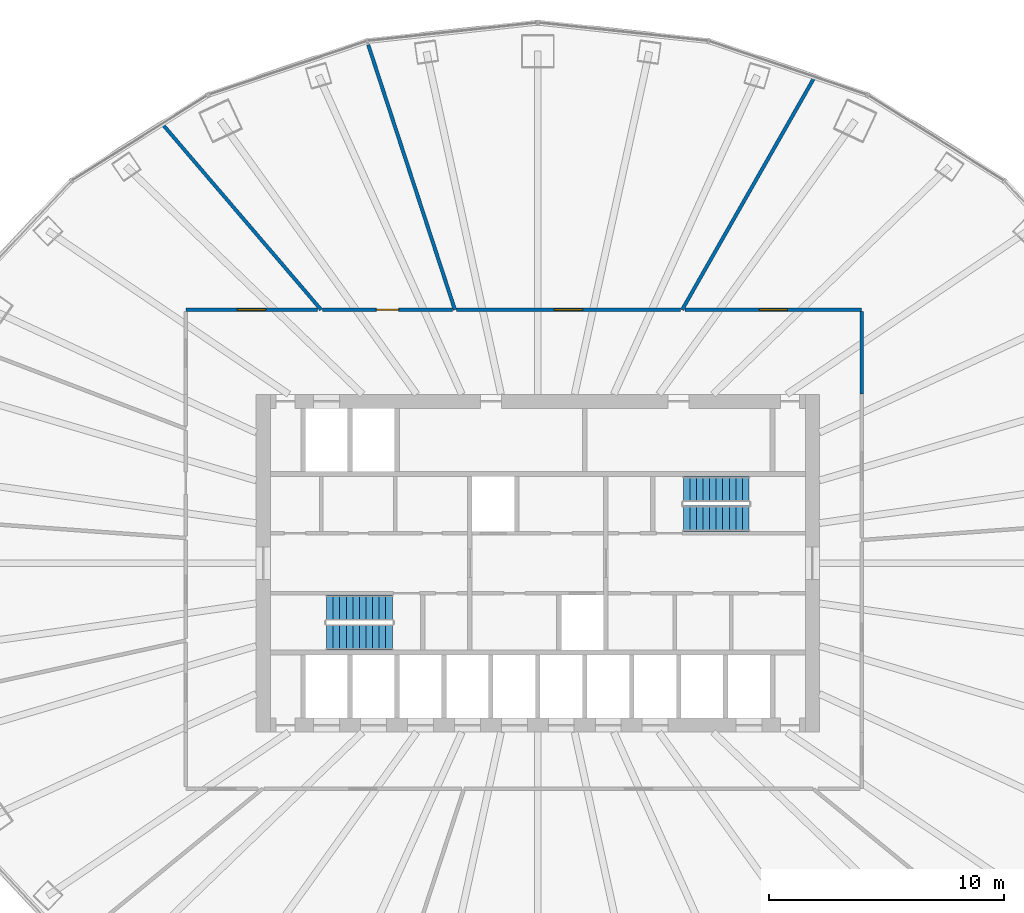
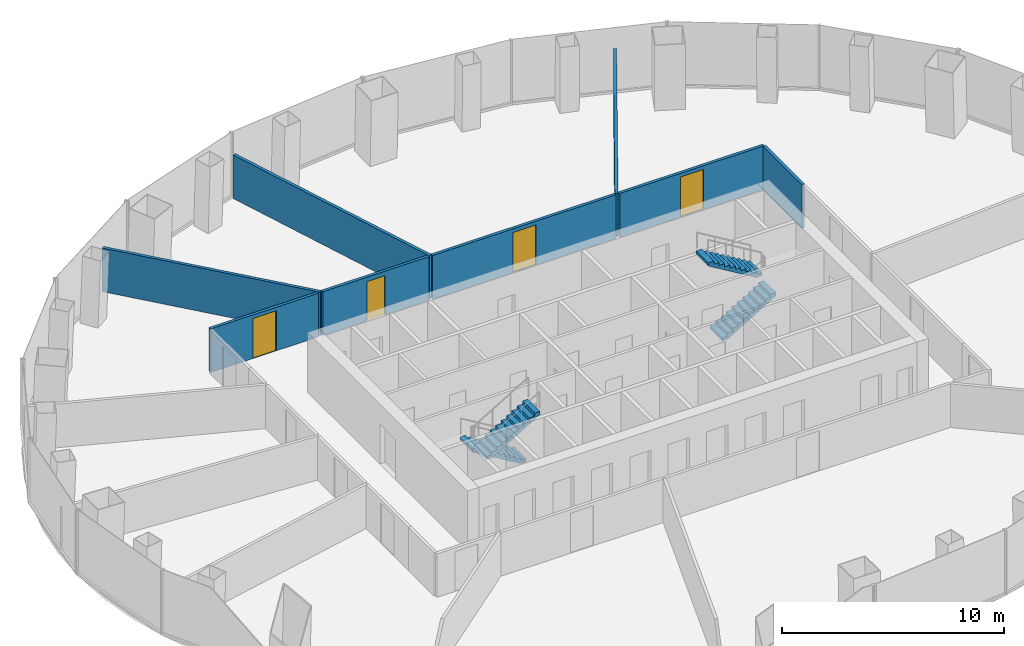
# One storey, part 10 of 11: 8 walls, 4 doors, 4 stair flights, 4 openings, 2 elements without a shape of their own.
"""IFC4 building model written with IfcOpenShell, lengths in metres."""

import ifcopenshell
import ifcopenshell.guid

model = None  # the IFC model being written
_history = None  # IfcOwnerHistory: only IFC2X3 demands one
_inside = {}  # id of a spatial element -> (the spatial element, [elements in it])
_under = {}  # id of a project, library or spatial element -> (it, [spatial elements below it])
_declared = {}  # id of a project -> (the project, [libraries it declares])
_typed = {}  # id of a type object -> (the type object, [elements of that type])
_made_of = {}  # id of a material, layer set ... -> (it, [elements and type objects made of it])


def new_model(schema):
    """Start an empty IFC model of exactly this schema.

    Asked for "IFC4X3", IfcOpenShell would pick the latest addendum, in which some entities
    have other attributes; the version numbers below select the first issue.
    IFC2X3 requires an IfcOwnerHistory on every rooted entity: one is made here for all.
    """
    global model, _history
    if schema == "IFC4X3":
        model = ifcopenshell.file(schema_version=(4, 3, 0, 0))
    else:
        model = ifcopenshell.file(schema=schema)
    _inside.clear()
    _under.clear()
    _declared.clear()
    _typed.clear()
    _made_of.clear()
    _history = None
    if model.schema == "IFC2X3":
        org = make("IfcOrganization", Name="unknown")
        user = make(
            "IfcPersonAndOrganization",
            ThePerson=make("IfcPerson", FamilyName="unknown"),
            TheOrganization=org,
        )
        app = make(
            "IfcApplication",
            ApplicationDeveloper=org,
            Version="unknown",
            ApplicationFullName="unknown",
            ApplicationIdentifier="unknown",
        )
        _history = make(
            "IfcOwnerHistory",
            OwningUser=user,
            OwningApplication=app,
            ChangeAction="ADDED",
            CreationDate=0,
        )
    return model


def make(cls, **values):
    """One entity of the class cls with the attributes given. An attribute that is None is left unset."""
    return model.create_entity(
        cls, **{name: value for name, value in values.items() if value is not None}
    )


def rooted(cls, **values):
    """An entity with a GlobalId (a new one), such as an element, a storey or a relation."""
    return make(cls, GlobalId=ifcopenshell.guid.new(), OwnerHistory=_history, **values)


def si_unit(unit_type, name, prefix=None):
    """IfcSIUnit, for example si_unit("LENGTHUNIT", "METRE", prefix="MILLI")."""
    return make("IfcSIUnit", UnitType=unit_type, Prefix=prefix, Name=name)


def assignment(units):
    """IfcUnitAssignment: the units of a project."""
    return None if units is None else make("IfcUnitAssignment", Units=units)


def point(xyz):
    """IfcCartesianPoint."""
    return None if xyz is None else make("IfcCartesianPoint", Coordinates=xyz)


def direction(xyz):
    """IfcDirection."""
    return None if xyz is None else make("IfcDirection", DirectionRatios=xyz)


def frame(location, z_axis=None, x_axis=None):
    """IfcAxis2Placement3D, a coordinate frame: its origin and axes. An axis left out is left unset."""
    return make(
        "IfcAxis2Placement3D",
        Location=point(location),
        Axis=direction(z_axis),
        RefDirection=direction(x_axis),
    )


def frame_2d(location, x_axis=None):
    """IfcAxis2Placement2D, a coordinate frame in the plane: its origin and x axis."""
    return make(
        "IfcAxis2Placement2D", Location=point(location), RefDirection=direction(x_axis)
    )


def origin():
    """The frame at (0, 0, 0) with its axes left unset."""
    return frame((0.0, 0.0, 0.0))


def place(relative_to, where):
    """IfcLocalPlacement: puts the frame where relative to a parent placement (None: the world)."""
    return make(
        "IfcLocalPlacement", PlacementRelTo=relative_to, RelativePlacement=where
    )


def context(
    kind, dimensions, precision=None, world=None, true_north=None, identifier=None
):
    """IfcGeometricRepresentationContext, for example the 3D "Model" context."""
    return make(
        "IfcGeometricRepresentationContext",
        ContextIdentifier=identifier,
        ContextType=kind,
        CoordinateSpaceDimension=dimensions,
        Precision=precision,
        WorldCoordinateSystem=world,
        TrueNorth=true_north,
    )


def subcontext(parent, identifier, kind, view, scale=None):
    """IfcGeometricRepresentationSubContext, for example "Body" below "Model"."""
    return make(
        "IfcGeometricRepresentationSubContext",
        ContextIdentifier=identifier,
        ContextType=kind,
        ParentContext=parent,
        TargetScale=scale,
        TargetView=view,
    )


def project(units=None, contexts=None):
    """IfcProject with its units and contexts."""
    return rooted(
        "IfcProject",
        Name="project",
        RepresentationContexts=contexts,
        UnitsInContext=assignment(units),
    )


def spatial(cls, under=None, at=None, **own):
    """A site, building, storey or space (cls), placed at a placement, below another one or the project."""
    s = rooted(cls, ObjectPlacement=at, **own)
    if under is not None:
        _under.setdefault(under.id(), (under, []))[1].append(s)
    return s


def polyline(points):
    """IfcPolyline through the points."""
    return make("IfcPolyline", Points=[point(p) for p in points])


def profile(cls, at=None, kind="AREA", **sizes):
    """A parametric profile (cls). Its sizes go by their IFC names, for example OverallWidth=200.0."""
    return make(cls, ProfileType=kind, Position=at, **sizes)


def rectangle(**sizes):
    """IfcRectangleProfileDef."""
    return profile("IfcRectangleProfileDef", **sizes)


def outline(outer, holes=None, kind="AREA"):
    """IfcArbitraryClosedProfileDef: a profile drawn as a closed curve; with holes, ...WithVoids."""
    if holes is None:
        return make("IfcArbitraryClosedProfileDef", ProfileType=kind, OuterCurve=outer)
    return make(
        "IfcArbitraryProfileDefWithVoids",
        ProfileType=kind,
        OuterCurve=outer,
        InnerCurves=holes,
    )


def extrude(swept, where, along, depth):
    """IfcExtrudedAreaSolid: the profile swept, set in the frame where, extruded along a direction by depth."""
    return make(
        "IfcExtrudedAreaSolid",
        SweptArea=swept,
        Position=where,
        ExtrudedDirection=direction(along),
        Depth=depth,
    )


def shape(context_of_items, identifier, shape_type, items):
    """IfcShapeRepresentation: the items that make up one representation, for example the "Body"."""
    return make(
        "IfcShapeRepresentation",
        ContextOfItems=context_of_items,
        RepresentationIdentifier=identifier,
        RepresentationType=shape_type,
        Items=items,
    )


def material(Name=None, Category=None):
    """IfcMaterial."""
    return make("IfcMaterial", Name=Name, Category=Category)


def layer(
    of_material, thickness, ventilated=None, Name=None, Category=None, Priority=None
):
    """IfcMaterialLayer: one layer of a wall or slab, of a material (None: an air gap)."""
    return make(
        "IfcMaterialLayer",
        Material=of_material,
        LayerThickness=thickness,
        IsVentilated=ventilated,
        Name=Name,
        Category=Category,
        Priority=Priority,
    )


def layer_set(layers, Name=None):
    """IfcMaterialLayerSet."""
    return make("IfcMaterialLayerSet", MaterialLayers=layers, LayerSetName=Name)


def made_of(thing, what):
    """Note that an element or type object is made of a material, layer set ...; save() writes the relation."""
    if what is not None:
        _made_of.setdefault(what.id(), (what, []))[1].append(thing)
    return thing


def type_object(cls, material=None, **own):
    """A type object (cls), such as IfcWallType, which elements share."""
    return made_of(rooted(cls, **own), material)


def element(
    cls,
    number,
    at=None,
    inside=None,
    cuts=None,
    type_object=None,
    material=None,
    context=None,
    identifier="Body",
    shape_type=None,
    held_by="IfcProductDefinitionShape",
    body=None,
    shapes=None,
    **own,
):
    """One element of the class cls, such as IfcWall. Its Tag is "e" and its number.

    at: its placement. inside: the storey or other place that contains it. cuts: it is an
    opening in that element (IfcRelVoidsElement). A single representation is given by context,
    identifier, shape_type and body (its items); several are given by shapes. held_by: the class
    of the entity that holds the representations. save() writes the other relations.
    """
    e = rooted(cls, Tag="e%d" % number, ObjectPlacement=at, **own)
    if body is not None:
        shapes = [shape(context, identifier, shape_type, body)]
    if shapes is not None:
        e.Representation = make(held_by, Representations=shapes)
    if inside is not None:
        _inside.setdefault(inside.id(), (inside, []))[1].append(e)
    if cuts is not None:
        rooted(
            "IfcRelVoidsElement", RelatingBuildingElement=cuts, RelatedOpeningElement=e
        )
    if type_object is not None:
        _typed.setdefault(type_object.id(), (type_object, []))[1].append(e)
    return made_of(e, material)


def fill(opening, filler):
    """IfcRelFillsElement: the door or window that sits in an opening."""
    return rooted(
        "IfcRelFillsElement",
        RelatingOpeningElement=opening,
        RelatedBuildingElement=filler,
    )


def aggregate(whole, parts):
    """IfcRelAggregates: a whole, such as a stair, and the parts it consists of."""
    return rooted("IfcRelAggregates", RelatingObject=whole, RelatedObjects=parts)


def save(model, path):
    """Write the relations noted so far, then the file.

    IfcRelAggregates (storeys below a building ...), IfcRelContainedInSpatialStructure (elements
    in a storey), IfcRelDefinesByType, IfcRelAssociatesMaterial and IfcRelDeclares: one each for
    every whole, place, type object, material and project.
    """
    for whole, parts in _under.values():
        aggregate(whole, parts)
    for where, things in _inside.values():
        rooted(
            "IfcRelContainedInSpatialStructure",
            RelatedElements=things,
            RelatingStructure=where,
        )
    for kind, things in _typed.values():
        rooted("IfcRelDefinesByType", RelatedObjects=things, RelatingType=kind)
    for what, things in _made_of.values():
        rooted("IfcRelAssociatesMaterial", RelatedObjects=things, RelatingMaterial=what)
    for by, libraries in _declared.values():
        rooted("IfcRelDeclares", RelatingContext=by, RelatedDefinitions=libraries)
    model.write(path)


model = new_model("IFC4")

# Units and contexts
model_context = context("Model", 3, precision=1e-05, world=origin(), true_north=direction((0.0, 1.0)))
body_context = subcontext(model_context, "Body", "Model", "MODEL_VIEW")
ifc_project = project(units=[si_unit("LENGTHUNIT", "METRE"), si_unit("AREAUNIT", "SQUARE_METRE"), si_unit("VOLUMEUNIT", "CUBIC_METRE"), si_unit("PLANEANGLEUNIT", "RADIAN"), si_unit("MASSUNIT", "GRAM", prefix="KILO")], contexts=[model_context])

# Site, building, storey
site_placement = place(None, origin())
site = spatial("IfcSite", under=ifc_project, at=site_placement, CompositionType="ELEMENT")
building_placement = place(site_placement, origin())
building = spatial("IfcBuilding", under=site, at=building_placement, Name="Siaravel Broadcast Tower", CompositionType="ELEMENT")
storey_placement = place(building_placement, frame((0.0, 0.0, 44.5)))
storey = spatial("IfcBuildingStorey", under=building, at=storey_placement, Name="L09", CompositionType="ELEMENT", Elevation=44.5)

# Wall, opening, door
ifc_material_1 = material(Name="Gypsum board partition", Category="gypsum")
ifc_layer_1 = layer(ifc_material_1, 0.14990234375)
ifc_layer_set_1 = layer_set([ifc_layer_1], Name="Gypsum board partition")
wall_type_1 = type_object("IfcWallType", Name="Corridor wall 150", PredefinedType="PARTITIONING", material=ifc_layer_set_1)
wall_1_placement = place(storey_placement, frame((6.0810546875, 10.800048828125, 0.0), z_axis=(0.0, 0.0, 1.0), x_axis=(-1.0, 0.0, 0.0)))
wall_1 = element("IfcWall", 1, at=wall_1_placement, inside=storey, type_object=wall_type_1, Name="L09 partition 12", PredefinedType="PARTITIONING", context=body_context, shape_type="SweptSolid", body=[
    extrude(rectangle(XDim=9.540771484375, YDim=0.14990234375, at=frame_2d((4.7705078125, 0.0))), origin(), (0.0, 0.0, 1.0), 2.39990234375),
])
opening_1_placement = place(wall_1_placement, frame((4.17041015625, 0.0, 0.0)))
opening_1 = element("IfcOpeningElement", 2, at=opening_1_placement, cuts=wall_1, Name="Opening L09-005", PredefinedType="OPENING", context=body_context, shape_type="SweptSolid", body=[
    extrude(rectangle(XDim=1.199951171875, YDim=2.199951171875, at=frame_2d((0.60009765625, 1.10009765625))), frame((0.0, 0.0849609375, 0.0), z_axis=(0.0, -1.0, 0.0), x_axis=(1.0, 0.0, 0.0)), (0.0, 0.0, 1.0), 0.169921875),
])
ifc_material_2 = material(Name="Timber veneer", Category="wood")
door_type_1 = type_object("IfcDoorType", Name="Office double door 1200", OperationType="DOUBLE_DOOR_SINGLE_SWING", PredefinedType="DOOR", material=ifc_material_2)
door_1_placement = place(opening_1_placement, origin())
door_1 = element("IfcDoor", 3, at=door_1_placement, inside=storey, type_object=door_type_1, Name="L09 door to Open plan newsroom", OperationType="DOUBLE_DOOR_SINGLE_SWING", OverallHeight=2.199951171875, OverallWidth=1.199951171875, PredefinedType="DOOR", context=body_context, shape_type="SweptSolid", body=[
    extrude(rectangle(XDim=1.199951171875, YDim=2.199951171875, at=frame_2d((0.60009765625, 1.10009765625))), frame((0.0, 0.02490234375, 0.0), z_axis=(0.0, -1.0, 0.0), x_axis=(1.0, 0.0, 0.0)), (0.0, 0.0, 1.0), 0.050048828125),
])
fill(opening_1, door_1)

wall_2_placement = place(storey_placement, frame((13.800048828125, 10.800048828125, 0.0), z_axis=(0.0, 0.0, 1.0), x_axis=(-1.0, 0.0, 0.0)))
wall_2 = element("IfcWall", 4, at=wall_2_placement, inside=storey, type_object=wall_type_1, Name="L09 partition 15", PredefinedType="PARTITIONING", context=body_context, shape_type="SweptSolid", body=[
    extrude(rectangle(XDim=7.520751953125, YDim=0.14990234375, at=frame_2d((3.76025390625, 0.0))), origin(), (0.0, 0.0, 1.0), 2.39990234375),
])
opening_2_placement = place(wall_2_placement, frame((3.160400390625, 0.0, 0.0)))
opening_2 = element("IfcOpeningElement", 5, at=opening_2_placement, cuts=wall_2, Name="Opening L09-003", PredefinedType="OPENING", context=body_context, shape_type="SweptSolid", body=[
    extrude(rectangle(XDim=1.199951171875, YDim=2.199951171875, at=frame_2d((0.60009765625, 1.10009765625))), frame((0.0, 0.0849609375, 0.0), z_axis=(0.0, -1.0, 0.0), x_axis=(1.0, 0.0, 0.0)), (0.0, 0.0, 1.0), 0.169921875),
])
door_2_placement = place(opening_2_placement, origin())
door_2 = element("IfcDoor", 6, at=door_2_placement, inside=storey, type_object=door_type_1, Name="L09 door to Open plan newsroom", OperationType="DOUBLE_DOOR_SINGLE_SWING", OverallHeight=2.199951171875, OverallWidth=1.199951171875, PredefinedType="DOOR", context=body_context, shape_type="SweptSolid", body=[
    extrude(rectangle(XDim=1.199951171875, YDim=2.199951171875, at=frame_2d((0.60009765625, 1.10009765625))), frame((0.0, 0.02490234375, 0.0), z_axis=(0.0, -1.0, 0.0), x_axis=(1.0, 0.0, 0.0)), (0.0, 0.0, 1.0), 0.050048828125),
])
fill(opening_2, door_2)

wall_3_placement = place(storey_placement, frame((-9.397216796875, 10.800048828125, 0.0), z_axis=(0.0, 0.0, 1.0), x_axis=(-1.0, 0.0, 0.0)))
wall_3 = element("IfcWall", 7, at=wall_3_placement, inside=storey, type_object=wall_type_1, Name="L09 partition 17", PredefinedType="PARTITIONING", context=body_context, shape_type="SweptSolid", body=[
    extrude(rectangle(XDim=5.602783203125, YDim=0.14990234375, at=frame_2d((2.80126953125, 0.0))), origin(), (0.0, 0.0, 1.0), 2.39990234375),
])
opening_3_placement = place(wall_3_placement, frame((2.201416015625, 0.0, 0.0)))
opening_3 = element("IfcOpeningElement", 8, at=opening_3_placement, cuts=wall_3, Name="Opening L09-007", PredefinedType="OPENING", context=body_context, shape_type="SweptSolid", body=[
    extrude(rectangle(XDim=1.199951171875, YDim=2.199951171875, at=frame_2d((0.60009765625, 1.10009765625))), frame((0.0, 0.0849609375, 0.0), z_axis=(0.0, -1.0, 0.0), x_axis=(1.0, 0.0, 0.0)), (0.0, 0.0, 1.0), 0.169921875),
])
door_3_placement = place(opening_3_placement, origin())
door_3 = element("IfcDoor", 9, at=door_3_placement, inside=storey, type_object=door_type_1, Name="L09 door to Open plan newsroom", OperationType="DOUBLE_DOOR_SINGLE_SWING", OverallHeight=2.199951171875, OverallWidth=1.199951171875, PredefinedType="DOOR", context=body_context, shape_type="SweptSolid", body=[
    extrude(rectangle(XDim=1.199951171875, YDim=2.199951171875, at=frame_2d((0.60009765625, 1.10009765625))), frame((0.0, 0.02490234375, 0.0), z_axis=(0.0, -1.0, 0.0), x_axis=(1.0, 0.0, 0.0)), (0.0, 0.0, 1.0), 0.050048828125),
])
fill(opening_3, door_3)

wall_4_placement = place(storey_placement, frame((-3.63818359375, 10.800048828125, 0.0), z_axis=(0.0, 0.0, 1.0), x_axis=(-1.0, 0.0, 0.0)))
wall_4 = element("IfcWall", 10, at=wall_4_placement, inside=storey, type_object=wall_type_1, Name="L09 partition 18", PredefinedType="PARTITIONING", context=body_context, shape_type="SweptSolid", body=[
    extrude(rectangle(XDim=5.53515625, YDim=0.14990234375, at=frame_2d((2.767578125, 0.0))), origin(), (0.0, 0.0, 1.0), 2.39990234375),
])
opening_4_placement = place(wall_4_placement, frame((2.29248046875, 0.0, 0.0)))
opening_4 = element("IfcOpeningElement", 11, at=opening_4_placement, cuts=wall_4, Name="Opening L09-006", PredefinedType="OPENING", context=body_context, shape_type="SweptSolid", body=[
    extrude(rectangle(XDim=0.949951171875, YDim=2.14990234375, at=frame_2d((0.47509765625, 1.074951171875))), frame((0.0, 0.0849609375, 0.0), z_axis=(0.0, -1.0, 0.0), x_axis=(1.0, 0.0, 0.0)), (0.0, 0.0, 1.0), 0.169921875),
])
door_type_2 = type_object("IfcDoorType", Name="Office door 950", OperationType="SINGLE_SWING_LEFT", PredefinedType="DOOR", material=ifc_material_2)
door_4_placement = place(opening_4_placement, origin())
door_4 = element("IfcDoor", 12, at=door_4_placement, inside=storey, type_object=door_type_2, Name="L09 door to Production office", OperationType="SINGLE_SWING_RIGHT", OverallHeight=2.14990234375, OverallWidth=0.949951171875, PredefinedType="DOOR", context=body_context, shape_type="SweptSolid", body=[
    extrude(rectangle(XDim=0.949951171875, YDim=2.14990234375, at=frame_2d((0.47509765625, 1.074951171875))), frame((0.0, 0.02490234375, 0.0), z_axis=(0.0, -1.0, 0.0), x_axis=(1.0, 0.0, 0.0)), (0.0, 0.0, 1.0), 0.050048828125),
])
fill(opening_4, door_4)

# Walls
wall_5_placement = place(storey_placement, frame((13.800048828125, 7.212890625, 0.0), z_axis=(0.0, 0.0, 1.0), x_axis=(0.0, 1.0, 0.0)))
element("IfcWall", 13, at=wall_5_placement, inside=storey, type_object=wall_type_1, Name="L09 partition 23", PredefinedType="PARTITIONING", context=body_context, shape_type="SweptSolid", body=[
    extrude(rectangle(XDim=3.510009765625, YDim=0.14990234375, at=frame_2d((1.7548828125, 0.0))), origin(), (0.0, 0.0, 1.0), 2.39990234375),
])
ifc_layer_2 = layer(ifc_material_1, 0.14990234375)
ifc_layer_set_2 = layer_set([ifc_layer_2], Name="Gypsum board partition")
wall_type_2 = type_object("IfcWallType", Name="Room partition 150", PredefinedType="PARTITIONING", material=ifc_layer_set_2)
wall_6_placement = place(storey_placement, frame((-7.2265625, 22.091796875, 0.0), z_axis=(0.0, 0.0, 1.0), x_axis=(0.310896301, -0.950443838, 0.0)))
element("IfcWall", 14, at=wall_6_placement, inside=storey, type_object=wall_type_2, Name="L09 partition 6", PredefinedType="PARTITIONING", context=body_context, shape_type="SweptSolid", body=[
    extrude(rectangle(XDim=11.880615234375, YDim=0.14990234375, at=frame_2d((5.9404296875, 0.0))), origin(), (0.0, 0.0, 1.0), 2.39990234375),
])
wall_7_placement = place(storey_placement, frame((11.80078125, 20.729248046875, 0.0), z_axis=(0.0, 0.0, 1.0), x_axis=(-0.49473687, -0.869042824, 0.0)))
element("IfcWall", 15, at=wall_7_placement, inside=storey, type_object=wall_type_2, Name="L09 partition 7", PredefinedType="PARTITIONING", context=body_context, shape_type="SweptSolid", body=[
    extrude(rectangle(XDim=11.425537109375, YDim=0.14990234375, at=frame_2d((5.712890625, 0.0))), origin(), (0.0, 0.0, 1.0), 2.39990234375),
])
wall_8_placement = place(storey_placement, frame((-16.01806640625, 18.73828125, 0.0), z_axis=(0.0, 0.0, 1.0), x_axis=(0.649766552, -0.760133822, 0.0)))
element("IfcWall", 16, at=wall_8_placement, inside=storey, type_object=wall_type_2, Name="L09 partition 9", PredefinedType="PARTITIONING", context=body_context, shape_type="SweptSolid", body=[
    extrude(rectangle(XDim=10.443115234375, YDim=0.14990234375, at=frame_2d((5.2216796875, 0.0))), origin(), (0.0, 0.0, 1.0), 2.39990234375),
])

# Stair, stair flights
ifc_material_3 = material(Name="Concrete C40/50", Category="concrete")
stair_type = type_object("IfcStairType", Name="Core exit stair", PredefinedType="HALF_TURN_STAIR", material=ifc_material_3)
stair_1_placement = place(storey_placement, origin())
stair_1 = element("IfcStair", 17, at=stair_1_placement, inside=storey, type_object=stair_type, Name="L09 Exit stair ST-1", PredefinedType="HALF_TURN_STAIR")
stair_flight_type = type_object("IfcStairFlightType", Name="Stair flight 1100", PredefinedType="STRAIGHT", material=ifc_material_3)
stair_flight_1_placement = place(storey_placement, frame((-6.199951171875, -1.89990234375, 0.0), z_axis=(0.0, 0.0, 1.0), x_axis=(-1.0, 0.0, 0.0)))
stair_flight_1 = element("IfcStairFlight", 18, at=stair_flight_1_placement, type_object=stair_flight_type, Name="ST-1 flight 1", NumberOfRisers=11, NumberOfTreads=10, PredefinedType="STRAIGHT", RiserHeight=0.1681818, TreadLength=0.28, context=body_context, shape_type="SweptSolid", body=[
    extrude(outline(polyline([(0.0, 0.0), (0.0, 0.168212890625), (0.280029296875, 0.168212890625), (0.280029296875, 0.33642578125), (0.56005859375, 0.33642578125), (0.56005859375, 0.504638671875), (0.840087890625, 0.504638671875), (0.840087890625, 0.672607421875), (1.1201171875, 0.672607421875), (1.1201171875, 0.8408203125), (1.39990234375, 0.8408203125), (1.39990234375, 1.009033203125), (1.679931640625, 1.009033203125), (1.679931640625, 1.17724609375), (1.9599609375, 1.17724609375), (1.9599609375, 1.345458984375), (2.239990234375, 1.345458984375), (2.239990234375, 1.513671875), (2.52001953125, 1.513671875), (2.52001953125, 1.681884765625), (2.800048828125, 1.681884765625), (2.800048828125, 1.85009765625), (2.800048828125, 1.5068359375), (0.291015625, 0.0), (0.0, 0.0)])), frame((0.0, 0.550048828125, 0.0), z_axis=(0.0, -1.0, 0.0), x_axis=(1.0, 0.0, 0.0)), (0.0, 0.0, 1.0), 1.10009765625),
])
stair_flight_2_placement = place(storey_placement, frame((-9.0, -3.14990234375, 1.85009765625), z_axis=(0.0, 0.0, 1.0), x_axis=(1.0, 0.0, 0.0)))
stair_flight_2 = element("IfcStairFlight", 19, at=stair_flight_2_placement, type_object=stair_flight_type, Name="ST-1 flight 2", NumberOfRisers=11, NumberOfTreads=10, PredefinedType="STRAIGHT", RiserHeight=0.1681818, TreadLength=0.28, context=body_context, shape_type="SweptSolid", body=[
    extrude(outline(polyline([(0.0, 0.0), (0.0, 0.168212890625), (0.280029296875, 0.168212890625), (0.280029296875, 0.33642578125), (0.56005859375, 0.33642578125), (0.56005859375, 0.504638671875), (0.840087890625, 0.504638671875), (0.840087890625, 0.672607421875), (1.1201171875, 0.672607421875), (1.1201171875, 0.8408203125), (1.39990234375, 0.8408203125), (1.39990234375, 1.009033203125), (1.679931640625, 1.009033203125), (1.679931640625, 1.17724609375), (1.9599609375, 1.17724609375), (1.9599609375, 1.345458984375), (2.239990234375, 1.345458984375), (2.239990234375, 1.513671875), (2.52001953125, 1.513671875), (2.52001953125, 1.681884765625), (2.800048828125, 1.681884765625), (2.800048828125, 1.85009765625), (2.800048828125, 1.5068359375), (0.291015625, 0.0), (0.0, 0.0)])), frame((0.0, 0.550048828125, 0.0), z_axis=(0.0, -1.0, 0.0), x_axis=(1.0, 0.0, 0.0)), (0.0, 0.0, 1.0), 1.10009765625),
])
aggregate(stair_1, [stair_flight_1, stair_flight_2])

stair_2_placement = place(storey_placement, origin())
stair_2 = element("IfcStair", 20, at=stair_2_placement, inside=storey, type_object=stair_type, Name="L09 Exit stair ST-2", PredefinedType="HALF_TURN_STAIR")
stair_flight_3_placement = place(storey_placement, frame((6.199951171875, 1.89990234375, 0.0), z_axis=(0.0, 0.0, 1.0), x_axis=(1.0, 0.0, 0.0)))
stair_flight_3 = element("IfcStairFlight", 21, at=stair_flight_3_placement, type_object=stair_flight_type, Name="ST-2 flight 1", NumberOfRisers=11, NumberOfTreads=10, PredefinedType="STRAIGHT", RiserHeight=0.1681818, TreadLength=0.28, context=body_context, shape_type="SweptSolid", body=[
    extrude(outline(polyline([(0.0, 0.0), (0.0, 0.168212890625), (0.280029296875, 0.168212890625), (0.280029296875, 0.33642578125), (0.56005859375, 0.33642578125), (0.56005859375, 0.504638671875), (0.840087890625, 0.504638671875), (0.840087890625, 0.672607421875), (1.1201171875, 0.672607421875), (1.1201171875, 0.8408203125), (1.39990234375, 0.8408203125), (1.39990234375, 1.009033203125), (1.679931640625, 1.009033203125), (1.679931640625, 1.17724609375), (1.9599609375, 1.17724609375), (1.9599609375, 1.345458984375), (2.239990234375, 1.345458984375), (2.239990234375, 1.513671875), (2.52001953125, 1.513671875), (2.52001953125, 1.681884765625), (2.800048828125, 1.681884765625), (2.800048828125, 1.85009765625), (2.800048828125, 1.5068359375), (0.291015625, 0.0), (0.0, 0.0)])), frame((0.0, 0.550048828125, 0.0), z_axis=(0.0, -1.0, 0.0), x_axis=(1.0, 0.0, 0.0)), (0.0, 0.0, 1.0), 1.10009765625),
])
stair_flight_4_placement = place(storey_placement, frame((9.0, 3.14990234375, 1.85009765625), z_axis=(0.0, 0.0, 1.0), x_axis=(-1.0, 0.0, 0.0)))
stair_flight_4 = element("IfcStairFlight", 22, at=stair_flight_4_placement, type_object=stair_flight_type, Name="ST-2 flight 2", NumberOfRisers=11, NumberOfTreads=10, PredefinedType="STRAIGHT", RiserHeight=0.1681818, TreadLength=0.28, context=body_context, shape_type="SweptSolid", body=[
    extrude(outline(polyline([(0.0, 0.0), (0.0, 0.168212890625), (0.280029296875, 0.168212890625), (0.280029296875, 0.33642578125), (0.56005859375, 0.33642578125), (0.56005859375, 0.504638671875), (0.840087890625, 0.504638671875), (0.840087890625, 0.672607421875), (1.1201171875, 0.672607421875), (1.1201171875, 0.8408203125), (1.39990234375, 0.8408203125), (1.39990234375, 1.009033203125), (1.679931640625, 1.009033203125), (1.679931640625, 1.17724609375), (1.9599609375, 1.17724609375), (1.9599609375, 1.345458984375), (2.239990234375, 1.345458984375), (2.239990234375, 1.513671875), (2.52001953125, 1.513671875), (2.52001953125, 1.681884765625), (2.800048828125, 1.681884765625), (2.800048828125, 1.85009765625), (2.800048828125, 1.5068359375), (0.291015625, 0.0), (0.0, 0.0)])), frame((0.0, 0.550048828125, 0.0), z_axis=(0.0, -1.0, 0.0), x_axis=(1.0, 0.0, 0.0)), (0.0, 0.0, 1.0), 1.10009765625),
])
aggregate(stair_2, [stair_flight_3, stair_flight_4])

save(model, "model.ifc")
